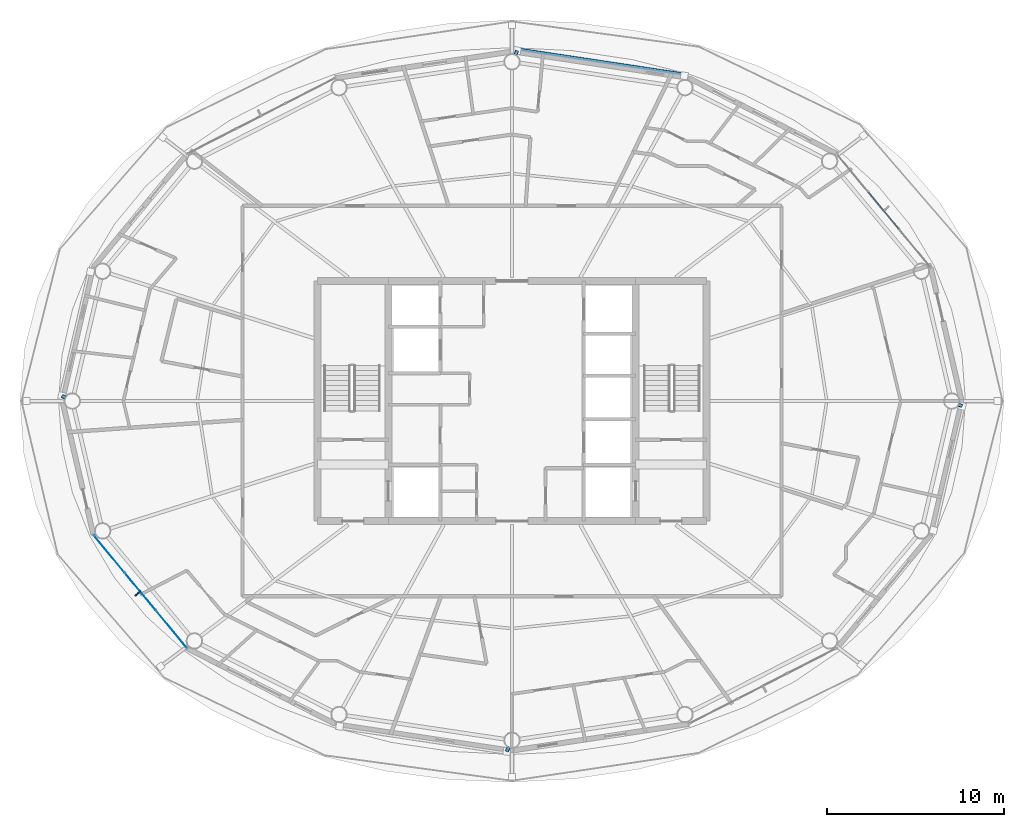
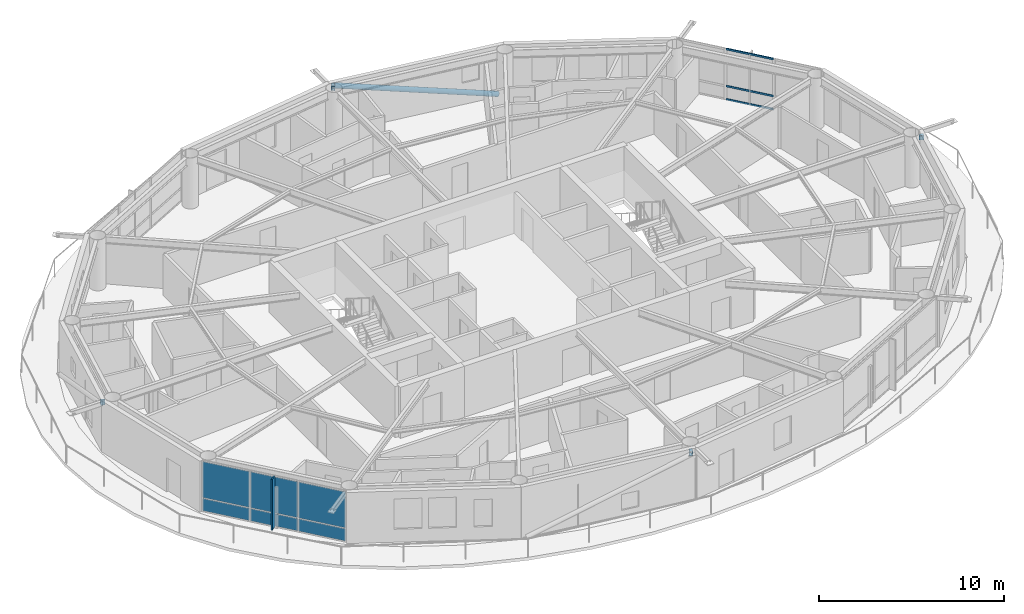
# One storey, part 12 of 23: 8 members, 7 plates, 2 elements without a shape of their own.
"""IFC4 building model written with IfcOpenShell, lengths in metres."""

import ifcopenshell
import ifcopenshell.guid

model = None  # the IFC model being written
_history = None  # IfcOwnerHistory: only IFC2X3 demands one
_inside = {}  # id of a spatial element -> (the spatial element, [elements in it])
_under = {}  # id of a project, library or spatial element -> (it, [spatial elements below it])
_declared = {}  # id of a project -> (the project, [libraries it declares])
_typed = {}  # id of a type object -> (the type object, [elements of that type])
_made_of = {}  # id of a material, layer set ... -> (it, [elements and type objects made of it])


def new_model(schema):
    """Start an empty IFC model of exactly this schema.

    Asked for "IFC4X3", IfcOpenShell would pick the latest addendum, in which some entities
    have other attributes; the version numbers below select the first issue.
    IFC2X3 requires an IfcOwnerHistory on every rooted entity: one is made here for all.
    """
    global model, _history
    if schema == "IFC4X3":
        model = ifcopenshell.file(schema_version=(4, 3, 0, 0))
    else:
        model = ifcopenshell.file(schema=schema)
    _inside.clear()
    _under.clear()
    _declared.clear()
    _typed.clear()
    _made_of.clear()
    _history = None
    if model.schema == "IFC2X3":
        org = make("IfcOrganization", Name="unknown")
        user = make(
            "IfcPersonAndOrganization",
            ThePerson=make("IfcPerson", FamilyName="unknown"),
            TheOrganization=org,
        )
        app = make(
            "IfcApplication",
            ApplicationDeveloper=org,
            Version="unknown",
            ApplicationFullName="unknown",
            ApplicationIdentifier="unknown",
        )
        _history = make(
            "IfcOwnerHistory",
            OwningUser=user,
            OwningApplication=app,
            ChangeAction="ADDED",
            CreationDate=0,
        )
    return model


def make(cls, **values):
    """One entity of the class cls with the attributes given. An attribute that is None is left unset."""
    return model.create_entity(
        cls, **{name: value for name, value in values.items() if value is not None}
    )


def rooted(cls, **values):
    """An entity with a GlobalId (a new one), such as an element, a storey or a relation."""
    return make(cls, GlobalId=ifcopenshell.guid.new(), OwnerHistory=_history, **values)


def si_unit(unit_type, name, prefix=None):
    """IfcSIUnit, for example si_unit("LENGTHUNIT", "METRE", prefix="MILLI")."""
    return make("IfcSIUnit", UnitType=unit_type, Prefix=prefix, Name=name)


def assignment(units):
    """IfcUnitAssignment: the units of a project."""
    return None if units is None else make("IfcUnitAssignment", Units=units)


def point(xyz):
    """IfcCartesianPoint."""
    return None if xyz is None else make("IfcCartesianPoint", Coordinates=xyz)


def direction(xyz):
    """IfcDirection."""
    return None if xyz is None else make("IfcDirection", DirectionRatios=xyz)


def frame(location, z_axis=None, x_axis=None):
    """IfcAxis2Placement3D, a coordinate frame: its origin and axes. An axis left out is left unset."""
    return make(
        "IfcAxis2Placement3D",
        Location=point(location),
        Axis=direction(z_axis),
        RefDirection=direction(x_axis),
    )


def frame_2d(location, x_axis=None):
    """IfcAxis2Placement2D, a coordinate frame in the plane: its origin and x axis."""
    return make(
        "IfcAxis2Placement2D", Location=point(location), RefDirection=direction(x_axis)
    )


def origin():
    """The frame at (0, 0, 0) with its axes left unset."""
    return frame((0.0, 0.0, 0.0))


def origin_2d():
    """The frame at (0, 0) in the plane with its x axis left unset."""
    return frame_2d((0.0, 0.0))


def place(relative_to, where):
    """IfcLocalPlacement: puts the frame where relative to a parent placement (None: the world)."""
    return make(
        "IfcLocalPlacement", PlacementRelTo=relative_to, RelativePlacement=where
    )


def context(
    kind, dimensions, precision=None, world=None, true_north=None, identifier=None
):
    """IfcGeometricRepresentationContext, for example the 3D "Model" context."""
    return make(
        "IfcGeometricRepresentationContext",
        ContextIdentifier=identifier,
        ContextType=kind,
        CoordinateSpaceDimension=dimensions,
        Precision=precision,
        WorldCoordinateSystem=world,
        TrueNorth=true_north,
    )


def subcontext(parent, identifier, kind, view, scale=None):
    """IfcGeometricRepresentationSubContext, for example "Body" below "Model"."""
    return make(
        "IfcGeometricRepresentationSubContext",
        ContextIdentifier=identifier,
        ContextType=kind,
        ParentContext=parent,
        TargetScale=scale,
        TargetView=view,
    )


def project(units=None, contexts=None):
    """IfcProject with its units and contexts."""
    return rooted(
        "IfcProject",
        Name="project",
        RepresentationContexts=contexts,
        UnitsInContext=assignment(units),
    )


def spatial(cls, under=None, at=None, **own):
    """A site, building, storey or space (cls), placed at a placement, below another one or the project."""
    s = rooted(cls, ObjectPlacement=at, **own)
    if under is not None:
        _under.setdefault(under.id(), (under, []))[1].append(s)
    return s


def profile(cls, at=None, kind="AREA", **sizes):
    """A parametric profile (cls). Its sizes go by their IFC names, for example OverallWidth=200.0."""
    return make(cls, ProfileType=kind, Position=at, **sizes)


def rectangle(**sizes):
    """IfcRectangleProfileDef."""
    return profile("IfcRectangleProfileDef", **sizes)


def hollow_rectangle(**sizes):
    """IfcRectangleHollowProfileDef."""
    return profile("IfcRectangleHollowProfileDef", **sizes)


def hollow_circle(**sizes):
    """IfcCircleHollowProfileDef."""
    return profile("IfcCircleHollowProfileDef", **sizes)


def extrude(swept, where, along, depth):
    """IfcExtrudedAreaSolid: the profile swept, set in the frame where, extruded along a direction by depth."""
    return make(
        "IfcExtrudedAreaSolid",
        SweptArea=swept,
        Position=where,
        ExtrudedDirection=direction(along),
        Depth=depth,
    )


def shape(context_of_items, identifier, shape_type, items):
    """IfcShapeRepresentation: the items that make up one representation, for example the "Body"."""
    return make(
        "IfcShapeRepresentation",
        ContextOfItems=context_of_items,
        RepresentationIdentifier=identifier,
        RepresentationType=shape_type,
        Items=items,
    )


def material(Name=None, Category=None):
    """IfcMaterial."""
    return make("IfcMaterial", Name=Name, Category=Category)


def layer(
    of_material, thickness, ventilated=None, Name=None, Category=None, Priority=None
):
    """IfcMaterialLayer: one layer of a wall or slab, of a material (None: an air gap)."""
    return make(
        "IfcMaterialLayer",
        Material=of_material,
        LayerThickness=thickness,
        IsVentilated=ventilated,
        Name=Name,
        Category=Category,
        Priority=Priority,
    )


def layer_set(layers, Name=None):
    """IfcMaterialLayerSet."""
    return make("IfcMaterialLayerSet", MaterialLayers=layers, LayerSetName=Name)


def material_profile(
    of_material, cross_section, Name=None, Category=None, Priority=None
):
    """IfcMaterialProfile: a cross section and its material."""
    return make(
        "IfcMaterialProfile",
        Name=Name,
        Material=of_material,
        Profile=cross_section,
        Priority=Priority,
        Category=Category,
    )


def profile_set(profiles, Name=None, composite=None):
    """IfcMaterialProfileSet."""
    return make(
        "IfcMaterialProfileSet",
        Name=Name,
        MaterialProfiles=profiles,
        CompositeProfile=composite,
    )


def made_of(thing, what):
    """Note that an element or type object is made of a material, layer set ...; save() writes the relation."""
    if what is not None:
        _made_of.setdefault(what.id(), (what, []))[1].append(thing)
    return thing


def type_object(cls, material=None, **own):
    """A type object (cls), such as IfcWallType, which elements share."""
    return made_of(rooted(cls, **own), material)


def element(
    cls,
    number,
    at=None,
    inside=None,
    cuts=None,
    type_object=None,
    material=None,
    context=None,
    identifier="Body",
    shape_type=None,
    held_by="IfcProductDefinitionShape",
    body=None,
    shapes=None,
    **own,
):
    """One element of the class cls, such as IfcWall. Its Tag is "e" and its number.

    at: its placement. inside: the storey or other place that contains it. cuts: it is an
    opening in that element (IfcRelVoidsElement). A single representation is given by context,
    identifier, shape_type and body (its items); several are given by shapes. held_by: the class
    of the entity that holds the representations. save() writes the other relations.
    """
    e = rooted(cls, Tag="e%d" % number, ObjectPlacement=at, **own)
    if body is not None:
        shapes = [shape(context, identifier, shape_type, body)]
    if shapes is not None:
        e.Representation = make(held_by, Representations=shapes)
    if inside is not None:
        _inside.setdefault(inside.id(), (inside, []))[1].append(e)
    if cuts is not None:
        rooted(
            "IfcRelVoidsElement", RelatingBuildingElement=cuts, RelatedOpeningElement=e
        )
    if type_object is not None:
        _typed.setdefault(type_object.id(), (type_object, []))[1].append(e)
    return made_of(e, material)


def aggregate(whole, parts):
    """IfcRelAggregates: a whole, such as a stair, and the parts it consists of."""
    return rooted("IfcRelAggregates", RelatingObject=whole, RelatedObjects=parts)


def save(model, path):
    """Write the relations noted so far, then the file.

    IfcRelAggregates (storeys below a building ...), IfcRelContainedInSpatialStructure (elements
    in a storey), IfcRelDefinesByType, IfcRelAssociatesMaterial and IfcRelDeclares: one each for
    every whole, place, type object, material and project.
    """
    for whole, parts in _under.values():
        aggregate(whole, parts)
    for where, things in _inside.values():
        rooted(
            "IfcRelContainedInSpatialStructure",
            RelatedElements=things,
            RelatingStructure=where,
        )
    for kind, things in _typed.values():
        rooted("IfcRelDefinesByType", RelatedObjects=things, RelatingType=kind)
    for what, things in _made_of.values():
        rooted("IfcRelAssociatesMaterial", RelatedObjects=things, RelatingMaterial=what)
    for by, libraries in _declared.values():
        rooted("IfcRelDeclares", RelatingContext=by, RelatedDefinitions=libraries)
    model.write(path)


model = new_model("IFC4")

# Units and contexts
model_context = context("Model", 3, precision=1e-05, world=origin(), true_north=direction((0.0, 1.0)))
body_context = subcontext(model_context, "Body", "Model", "MODEL_VIEW")
ifc_project = project(units=[si_unit("LENGTHUNIT", "METRE"), si_unit("AREAUNIT", "SQUARE_METRE"), si_unit("VOLUMEUNIT", "CUBIC_METRE"), si_unit("PLANEANGLEUNIT", "RADIAN"), si_unit("MASSUNIT", "GRAM", prefix="KILO")], contexts=[model_context])

# Site, building, storey
site_placement = place(None, origin())
site = spatial("IfcSite", under=ifc_project, at=site_placement, CompositionType="ELEMENT")
building_placement = place(site_placement, origin())
building = spatial("IfcBuilding", under=site, at=building_placement, Name="Sarneth Arch Tower", CompositionType="ELEMENT")
storey_placement = place(building_placement, frame((0.0, 0.0, 220.800048828125)))
storey = spatial("IfcBuildingStorey", under=building, at=storey_placement, Name="L56", CompositionType="ELEMENT", Elevation=220.800048828125)

# Curtain wall, members
ifc_material_1 = material(Name="Anodised aluminium Type AA25 and solar-control low-e laminated IGU", Category="aluminium")
ifc_layer_1 = layer(ifc_material_1, 0.179931640625)
ifc_layer_set_1 = layer_set([ifc_layer_1], Name="Anodised aluminium Type AA25 and solar-control low-e laminated IGU")
curtain_wall_type = type_object("IfcCurtainWallType", Name="CW-RES-HIGH", PredefinedType="NOTDEFINED", material=ifc_layer_set_1)
curtain_wall_1_placement = place(storey_placement, origin())
curtain_wall_1 = element("IfcCurtainWall", 1, at=curtain_wall_1_placement, inside=storey, type_object=curtain_wall_type, Name="L56 Unitised curtain wall facet 02", PredefinedType="NOTDEFINED")
ifc_material_2 = material(Name="Anodised Aluminium 6063-T6", Category="aluminium")
ifc_material_profile_1 = material_profile(ifc_material_2, hollow_rectangle(XDim=0.06005859375, YDim=0.1201171875, WallThickness=0.00390625, at=origin_2d()), Name="AL-TRAN-120x60x4")
ifc_profile_set_1 = profile_set([ifc_material_profile_1], Name="Anodised Aluminium 6063-T6")
member_type_1 = type_object("IfcMemberType", Name="CW-TRANSOM", PredefinedType="USERDEFINED", material=ifc_profile_set_1)
member_1_placement = place(storey_placement, frame((69.904296875, 51.731689453125, 0.030029296875), z_axis=(-0.637617371902, 0.770353222261, 0.0), x_axis=(-0.770353222261, -0.637617371902, 0.0)))
member_1 = element("IfcMember", 2, at=member_1_placement, type_object=member_type_1, Name="CW-SYS-6 transom 2.1", ObjectType="TRANSOM", PredefinedType="USERDEFINED", context=body_context, shape_type="SweptSolid", body=[
    extrude(hollow_rectangle(XDim=0.06005859375, YDim=0.1201171875, WallThickness=0.00390625, at=origin_2d()), origin(), (0.0, 0.0, 1.0), 2.716552734375),
])
member_2_placement = place(storey_placement, frame((69.904296875, 51.731689453125, 0.89990234375), z_axis=(-0.637617371902, 0.770353222261, 0.0), x_axis=(-0.770353222261, -0.637617371902, 0.0)))
member_2 = element("IfcMember", 3, at=member_2_placement, type_object=member_type_1, Name="CW-SYS-6 transom 2.2", ObjectType="TRANSOM", PredefinedType="USERDEFINED", context=body_context, shape_type="SweptSolid", body=[
    extrude(hollow_rectangle(XDim=0.06005859375, YDim=0.1201171875, WallThickness=0.00390625, at=origin_2d()), origin(), (0.0, 0.0, 1.0), 2.716552734375),
])
member_3_placement = place(storey_placement, frame((69.904296875, 51.731689453125, 3.329833984375), z_axis=(-0.637617371902, 0.770353222261, 0.0), x_axis=(-0.770353222261, -0.637617371902, 0.0)))
member_3 = element("IfcMember", 4, at=member_3_placement, type_object=member_type_1, Name="CW-SYS-6 transom 2.3", ObjectType="TRANSOM", PredefinedType="USERDEFINED", context=body_context, shape_type="SweptSolid", body=[
    extrude(hollow_rectangle(XDim=0.06005859375, YDim=0.1201171875, WallThickness=0.00390625, at=origin_2d()), origin(), (0.0, 0.0, 1.0), 2.716552734375),
])
aggregate(curtain_wall_1, [member_1, member_2, member_3])

# Members
ifc_material_3 = material(Name="Steel S355", Category="steel")
ifc_material_profile_2 = material_profile(ifc_material_3, hollow_rectangle(XDim=0.199951171875, YDim=0.300048828125, WallThickness=0.012451171875, InnerFilletRadius=0.018798828125, OuterFilletRadius=0.03125, at=origin_2d()), Name="RHS300x200x12.5")
ifc_profile_set_2 = profile_set([ifc_material_profile_2], Name="Steel S355")
member_type_2 = type_object("IfcMemberType", Name="MEM-CANT-STRUT", PredefinedType="STRUT", material=ifc_profile_set_2)
member_4_placement = place(storey_placement, frame((48.17138671875, 61.56689453125, 3.03662109375), z_axis=(0.422659932572, 0.906288354443, 0.0), x_axis=(-0.906288354443, 0.422659932572, 0.0)))
element("IfcMember", 5, at=member_4_placement, inside=storey, type_object=member_type_2, Name="L56 Exoskeleton brace node strut 04B", PredefinedType="STRUT", context=body_context, shape_type="SweptSolid", body=[
    extrude(hollow_rectangle(XDim=0.199951171875, YDim=0.300048828125, WallThickness=0.012451171875, InnerFilletRadius=0.018798828125, OuterFilletRadius=0.03125, at=origin_2d()), origin(), (0.0, 0.0, 1.0), 0.29638671875),
])
member_5_placement = place(storey_placement, frame((22.75341796875, 42.178955078125, 3.03662109375), z_axis=(-0.897077765426, 0.441872699743, 0.0), x_axis=(-0.441872699743, -0.897077765426, 0.0)))
element("IfcMember", 6, at=member_5_placement, inside=storey, type_object=member_type_2, Name="L56 Exoskeleton brace node strut 08B", PredefinedType="STRUT", context=body_context, shape_type="SweptSolid", body=[
    extrude(hollow_rectangle(XDim=0.199951171875, YDim=0.300048828125, WallThickness=0.012451171875, InnerFilletRadius=0.018798828125, OuterFilletRadius=0.03125, at=origin_2d()), origin(), (0.0, 0.0, 1.0), 0.25634765625),
])
member_6_placement = place(storey_placement, frame((47.82861328125, 22.43310546875, 3.03662109375), z_axis=(-0.422659932572, -0.906288354443, 0.0), x_axis=(0.906288354443, -0.422659932572, 0.0)))
element("IfcMember", 7, at=member_6_placement, inside=storey, type_object=member_type_2, Name="L56 Exoskeleton brace node strut 12B", PredefinedType="STRUT", context=body_context, shape_type="SweptSolid", body=[
    extrude(hollow_rectangle(XDim=0.199951171875, YDim=0.300048828125, WallThickness=0.012451171875, InnerFilletRadius=0.018798828125, OuterFilletRadius=0.03125, at=origin_2d()), origin(), (0.0, 0.0, 1.0), 0.29638671875),
])
member_7_placement = place(storey_placement, frame((73.24658203125, 41.821044921875, 3.03662109375), z_axis=(0.897077765426, -0.441872699743, 0.0), x_axis=(0.441872699743, 0.897077765426, 0.0)))
element("IfcMember", 8, at=member_7_placement, inside=storey, type_object=member_type_2, Name="L56 Exoskeleton brace node strut 16B", PredefinedType="STRUT", context=body_context, shape_type="SweptSolid", body=[
    extrude(hollow_rectangle(XDim=0.199951171875, YDim=0.300048828125, WallThickness=0.012451171875, InnerFilletRadius=0.018798828125, OuterFilletRadius=0.03125, at=origin_2d()), origin(), (0.0, 0.0, 1.0), 0.25634765625),
])
ifc_material_4 = material(Name="Steel S355", Category="steel")
ifc_material_profile_3 = material_profile(ifc_material_4, hollow_circle(Radius=0.162109375, WallThickness=0.012451171875, at=origin_2d()), Name="CHS324x12.5")
ifc_profile_set_3 = profile_set([ifc_material_profile_3], Name="Steel S355")
member_type_3 = type_object("IfcMemberType", Name="MEM-DIAG-BR3", PredefinedType="BRACE", material=ifc_profile_set_3)
member_8_placement = place(storey_placement, frame((57.754150390625, 60.411376953125, 0.02001953125), z_axis=(-0.943056107878, 0.142001297879, 0.300800280576), x_axis=(-0.148897148305, -0.988852688335, 0.0)))
element("IfcMember", 9, at=member_8_placement, inside=storey, type_object=member_type_3, Name="L56 Perimeter frame diagonal 04", PredefinedType="BRACE", context=body_context, shape_type="SweptSolid", body=[
    extrude(hollow_circle(Radius=0.162109375, WallThickness=0.012451171875, at=origin_2d()), origin(), (0.0, 0.0, 1.0), 10.028564453125),
])

# Curtain wall, plates
curtain_wall_2_placement = place(storey_placement, origin())
curtain_wall_2 = element("IfcCurtainWall", 10, at=curtain_wall_2_placement, inside=storey, type_object=curtain_wall_type, Name="L56 Unitised curtain wall facet 10", PredefinedType="NOTDEFINED")
ifc_material_5 = material(Name="Solar-control low-e laminated IGU", Category="glass")
ifc_layer_2 = layer(ifc_material_5, 0.028076171875)
ifc_layer_set_2 = layer_set([ifc_layer_2], Name="Solar-control low-e laminated IGU")
plate_type_1 = type_object("IfcPlateType", Name="CW-PANEL", PredefinedType="CURTAIN_PANEL", material=ifc_layer_set_2)
plate_1_placement = place(storey_placement, frame((25.200927734375, 33.349365234375, 0.059814453125), z_axis=(0.0, 0.0, 1.0), x_axis=(0.637610094184, -0.770359245933, 0.0)))
plate_1 = element("IfcPlate", 11, at=plate_1_placement, type_object=plate_type_1, Name="Curtain wall glazed vision pane CW-L56-F10/P00-00", PredefinedType="CURTAIN_PANEL", context=body_context, shape_type="SweptSolid", body=[
    extrude(rectangle(XDim=2.686767578125, YDim=0.028076171875, at=origin_2d()), origin(), (0.0, 0.0, 1.0), 0.81005859375),
])
plate_2_placement = place(storey_placement, frame((25.200927734375, 33.349365234375, 0.929931640625), z_axis=(0.0, 0.0, 1.0), x_axis=(0.637610094184, -0.770359245933, 0.0)))
plate_2 = element("IfcPlate", 12, at=plate_2_placement, type_object=plate_type_1, Name="Curtain wall glazed vision pane CW-L56-F10/P00-01", PredefinedType="CURTAIN_PANEL", context=body_context, shape_type="SweptSolid", body=[
    extrude(rectangle(XDim=2.686767578125, YDim=0.028076171875, at=origin_2d()), origin(), (0.0, 0.0, 1.0), 2.3701171875),
])
plate_3_placement = place(storey_placement, frame((26.9619140625, 31.221923828125, 0.059814453125), z_axis=(0.0, 0.0, 1.0), x_axis=(0.637610094184, -0.770359245933, 0.0)))
plate_3 = element("IfcPlate", 13, at=plate_3_placement, type_object=plate_type_1, Name="Curtain wall glazed vision pane CW-L56-F10/P01-00", PredefinedType="CURTAIN_PANEL", context=body_context, shape_type="SweptSolid", body=[
    extrude(rectangle(XDim=2.716552734375, YDim=0.028076171875, at=origin_2d()), origin(), (0.0, 0.0, 1.0), 0.81005859375),
])
plate_4_placement = place(storey_placement, frame((26.9619140625, 31.221923828125, 0.929931640625), z_axis=(0.0, 0.0, 1.0), x_axis=(0.637610094184, -0.770359245933, 0.0)))
plate_4 = element("IfcPlate", 14, at=plate_4_placement, type_object=plate_type_1, Name="Curtain wall glazed vision pane CW-L56-F10/P01-01", PredefinedType="CURTAIN_PANEL", context=body_context, shape_type="SweptSolid", body=[
    extrude(rectangle(XDim=2.716552734375, YDim=0.028076171875, at=origin_2d()), origin(), (0.0, 0.0, 1.0), 2.3701171875),
])
plate_5_placement = place(storey_placement, frame((28.72265625, 29.094482421875, 0.059814453125), z_axis=(0.0, 0.0, 1.0), x_axis=(0.637610094184, -0.770359245933, 0.0)))
plate_5 = element("IfcPlate", 15, at=plate_5_placement, type_object=plate_type_1, Name="Curtain wall glazed vision pane CW-L56-F10/P02-00", PredefinedType="CURTAIN_PANEL", context=body_context, shape_type="SweptSolid", body=[
    extrude(rectangle(XDim=2.686767578125, YDim=0.028076171875, at=origin_2d()), origin(), (0.0, 0.0, 1.0), 0.81005859375),
])
plate_6_placement = place(storey_placement, frame((28.72265625, 29.094482421875, 0.929931640625), z_axis=(0.0, 0.0, 1.0), x_axis=(0.637610094184, -0.770359245933, 0.0)))
plate_6 = element("IfcPlate", 16, at=plate_6_placement, type_object=plate_type_1, Name="Curtain wall glazed vision pane CW-L56-F10/P02-01", PredefinedType="CURTAIN_PANEL", context=body_context, shape_type="SweptSolid", body=[
    extrude(rectangle(XDim=2.686767578125, YDim=0.028076171875, at=origin_2d()), origin(), (0.0, 0.0, 1.0), 2.3701171875),
])
aggregate(curtain_wall_2, [plate_1, plate_2, plate_3, plate_4, plate_5, plate_6])

# Plate
ifc_material_6 = material(Name="Extruded glazed terracotta baguette fin on Aluminium 6063-T6 carrier", Category="masonry")
ifc_layer_3 = layer(ifc_material_6, 0.080078125)
ifc_layer_set_3 = layer_set([ifc_layer_3], Name="Extruded glazed terracotta baguette fin on Aluminium 6063-T6 carrier")
plate_type_2 = type_object("IfcPlateType", Name="SHADE-TERRA-FIN", PredefinedType="SHEET", material=ifc_layer_set_3)
plate_7_placement = place(storey_placement, frame((26.830810546875, 31.113525390625, 0.009765625), z_axis=(0.0, 0.0, 1.0), x_axis=(-0.770401979567, -0.63755845997, 0.0)))
element("IfcPlate", 17, at=plate_7_placement, inside=storey, type_object=plate_type_2, Name="L56 Terracotta vertical shading fin 10", PredefinedType="SHEET", context=body_context, shape_type="SweptSolid", body=[
    extrude(rectangle(XDim=0.419921875, YDim=0.080078125, at=origin_2d()), origin(), (0.0, 0.0, 1.0), 3.340087890625),
])

save(model, "model.ifc")
